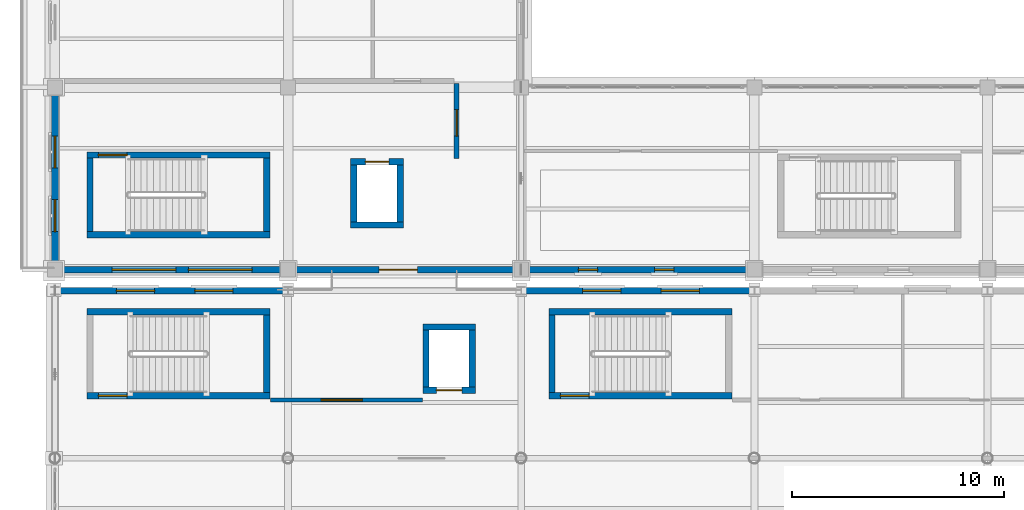
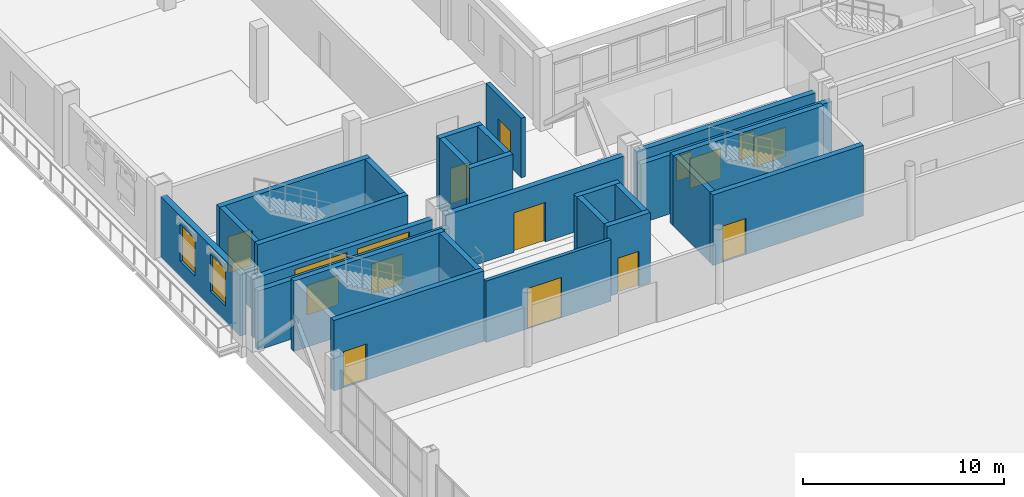
# One storey, part 121 of 156: 26 walls, 10 windows, 8 doors, 18 openings.
"""IFC4 building model written with IfcOpenShell, lengths in metres."""

from ifc_helpers import new_model, si_unit, direction, frame, frame_2d, origin, place, context, subcontext, project, spatial, rectangle, extrude, material, layer, layer_set, type_object, element, fill, save


model = new_model("IFC4")

# Units and contexts
model_context = context("Model", 3, precision=1e-05, world=origin(), true_north=direction((0.0, 1.0)))
body_context = subcontext(model_context, "Body", "Model", "MODEL_VIEW")
ifc_project = project(units=[si_unit("LENGTHUNIT", "METRE"), si_unit("AREAUNIT", "SQUARE_METRE"), si_unit("VOLUMEUNIT", "CUBIC_METRE"), si_unit("PLANEANGLEUNIT", "RADIAN"), si_unit("MASSUNIT", "GRAM", prefix="KILO")], contexts=[model_context])

# Site, building, storey
site_placement = place(None, origin())
site = spatial("IfcSite", under=ifc_project, at=site_placement, CompositionType="ELEMENT")
building_placement = place(site_placement, origin())
building = spatial("IfcBuilding", under=site, at=building_placement, Name="Caurita Quay Ferry Terminal", CompositionType="ELEMENT")
storey_placement = place(building_placement, frame((0.0, 0.0, 5.39990234375)))
storey = spatial("IfcBuildingStorey", under=building, at=storey_placement, Name="L01", CompositionType="ELEMENT", Elevation=5.39990234375)

# Wall, opening, door
ifc_material_1 = material(Name="Warm-white lime stucco masonry", Category="masonry")
ifc_layer_1 = layer(ifc_material_1, 0.239990234375, Name="Interior partitioning wall 240 mm")
ifc_layer_set_1 = layer_set([ifc_layer_1], Name="Warm-white lime stucco masonry")
wall_type_1 = type_object("IfcWallType", Name="WL-COMP-240", PredefinedType="PARTITIONING", material=ifc_layer_set_1)
wall_1_placement = place(storey_placement, frame((18.949951171875, 76.85009765625, 0.0), z_axis=(0.0, 0.0, 1.0), x_axis=(0.0, 1.0, 0.0)))
wall_1 = element("IfcWall", 1, at=wall_1_placement, inside=storey, type_object=wall_type_1, Name="L01 Interior Partition IW-L01-064", PredefinedType="PARTITIONING", context=body_context, shape_type="SweptSolid", body=[
    extrude(rectangle(XDim=3.52490234375, YDim=0.239990234375, at=frame_2d((1.762451171875, 0.0))), origin(), (0.0, 0.0, 1.0), 3.625),
])
opening_1_placement = place(wall_1_placement, frame((1.050048828125, 0.0, 0.0)))
opening_1 = element("IfcOpeningElement", 2, at=opening_1_placement, cuts=wall_1, Name="Opening FD-01", PredefinedType="OPENING", context=body_context, shape_type="SweptSolid", body=[
    extrude(rectangle(XDim=1.25, YDim=2.199951171875, at=frame_2d((0.625, 1.10009765625))), frame((0.0, 0.1298828125, 0.0), z_axis=(0.0, -1.0, 0.0), x_axis=(1.0, 0.0, 0.0)), (0.0, 0.0, 1.0), 0.260009765625),
])
ifc_material_2 = material(Name="Anodized aluminium 6063-T6", Category="aluminium")
door_type_1 = type_object("IfcDoorType", Name="DR-FF-1100", OperationType="NOTDEFINED", PredefinedType="DOOR", material=ifc_material_2)
door_1_placement = place(opening_1_placement, origin())
door_1 = element("IfcDoor", 3, at=door_1_placement, inside=storey, type_object=door_type_1, Name="Firefighting Lobby L01 South East Door", OperationType="SINGLE_SWING_LEFT", OverallHeight=2.199951171875, OverallWidth=1.25, PredefinedType="DOOR", context=body_context, shape_type="SweptSolid", body=[
    extrude(rectangle(XDim=1.25, YDim=2.199951171875, at=frame_2d((0.625, 1.10009765625))), frame((0.0, 0.02490234375, 0.0), z_axis=(0.0, -1.0, 0.0), x_axis=(1.0, 0.0, 0.0)), (0.0, 0.0, 1.0), 0.050048828125),
])
fill(opening_1, door_1)

# Wall
ifc_material_3 = material(Name="Reinforced concrete C35/45", Category="concrete")
ifc_layer_2 = layer(ifc_material_3, 0.300048828125, Name="Interior shear wall 300 mm")
ifc_layer_set_2 = layer_set([ifc_layer_2], Name="Reinforced concrete C35/45")
wall_type_2 = type_object("IfcWallType", Name="WL-CORE-300", PredefinedType="SHEAR", material=ifc_layer_set_2)
wall_2_placement = place(storey_placement, frame((1.5, 73.25, 0.0), z_axis=(0.0, 0.0, 1.0), x_axis=(1.0, 0.0, 0.0)))
element("IfcWall", 4, at=wall_2_placement, inside=storey, type_object=wall_type_2, Name="L01 ST-02 Core Wall South", PredefinedType="SHEAR", context=body_context, shape_type="SweptSolid", body=[
    extrude(rectangle(XDim=8.64990234375, YDim=0.300048828125, at=frame_2d((4.324951171875, 0.0))), origin(), (0.0, 0.0, 1.0), 4.280029296875),
])

# Wall, opening, door
wall_3_placement = place(storey_placement, frame((10.14990234375, 77.010009765625, 0.0), z_axis=(0.0, 0.0, 1.0), x_axis=(-1.0, 0.0, 0.0)))
wall_3 = element("IfcWall", 5, at=wall_3_placement, inside=storey, type_object=wall_type_2, Name="L01 ST-02 Core Wall North", PredefinedType="SHEAR", context=body_context, shape_type="SweptSolid", body=[
    extrude(rectangle(XDim=8.64990234375, YDim=0.300048828125, at=frame_2d((4.324951171875, 0.0))), origin(), (0.0, 0.0, 1.0), 4.280029296875),
])
opening_2_placement = place(wall_3_placement, frame((6.75, 0.0, 0.0)))
opening_2 = element("IfcOpeningElement", 6, at=opening_2_placement, cuts=wall_3, Name="Opening SD-01", PredefinedType="OPENING", context=body_context, shape_type="SweptSolid", body=[
    extrude(rectangle(XDim=1.35009765625, YDim=2.199951171875, at=frame_2d((0.675048828125, 1.10009765625))), frame((0.0, 0.159912109375, 0.0), z_axis=(0.0, -1.0, 0.0), x_axis=(1.0, 0.0, 0.0)), (0.0, 0.0, 1.0), 0.320068359375),
])
door_type_2 = type_object("IfcDoorType", Name="DR-ST-1200", OperationType="NOTDEFINED", PredefinedType="DOOR", material=ifc_material_2)
door_2_placement = place(opening_2_placement, origin())
door_2 = element("IfcDoor", 7, at=door_2_placement, inside=storey, type_object=door_type_2, Name="L01 Exit Stair ST-02 Fire Door", OperationType="SINGLE_SWING_LEFT", OverallHeight=2.199951171875, OverallWidth=1.35009765625, PredefinedType="DOOR", context=body_context, shape_type="SweptSolid", body=[
    extrude(rectangle(XDim=1.35009765625, YDim=2.199951171875, at=frame_2d((0.675048828125, 1.10009765625))), frame((0.0, 0.02490234375, 0.0), z_axis=(0.0, -1.0, 0.0), x_axis=(1.0, 0.0, 0.0)), (0.0, 0.0, 1.0), 0.050048828125),
])
fill(opening_2, door_2)

# Walls
for number, where, z_axis, x_axis, name in (
    (8, (1.64990234375, 76.860107421875, 0.0), (0.0, 0.0, 1.0), (0.0, -1.0, 0.0), "L01 ST-02 Core Wall West"),
    (9, (10.0, 73.39990234375, 0.0), (0.0, 0.0, 1.0), (0.0, 1.0, 0.0), "L01 ST-02 Core Wall East"),
):
    element("IfcWall", number, at=place(storey_placement, frame(where, z_axis=z_axis, x_axis=x_axis)), inside=storey, type_object=wall_type_2, Name=name, PredefinedType="SHEAR", context=body_context, shape_type="SweptSolid", body=[
        extrude(rectangle(XDim=3.460205078125, YDim=0.300048828125, at=frame_2d((1.72998046875, 0.0))), origin(), (0.0, 0.0, 1.0), 4.280029296875),
    ])

# Wall, opening, door
wall_4_placement = place(storey_placement, frame((1.5, 65.64990234375, 0.0), z_axis=(0.0, 0.0, 1.0), x_axis=(1.0, 0.0, 0.0)))
wall_4 = element("IfcWall", 10, at=wall_4_placement, inside=storey, type_object=wall_type_2, Name="L01 ST-05 Core Wall South", PredefinedType="SHEAR", context=body_context, shape_type="SweptSolid", body=[
    extrude(rectangle(XDim=8.64990234375, YDim=0.300048828125, at=frame_2d((4.324951171875, 0.0))), origin(), (0.0, 0.0, 1.0), 4.280029296875),
])
opening_3_placement = place(wall_4_placement, frame((0.550048828125, 0.0, 0.0)))
opening_3 = element("IfcOpeningElement", 11, at=opening_3_placement, cuts=wall_4, Name="Opening SD-01", PredefinedType="OPENING", context=body_context, shape_type="SweptSolid", body=[
    extrude(rectangle(XDim=1.35009765625, YDim=2.199951171875, at=frame_2d((0.675048828125, 1.10009765625))), frame((0.0, 0.159912109375, 0.0), z_axis=(0.0, -1.0, 0.0), x_axis=(1.0, 0.0, 0.0)), (0.0, 0.0, 1.0), 0.320068359375),
])
door_3_placement = place(opening_3_placement, origin())
door_3 = element("IfcDoor", 12, at=door_3_placement, inside=storey, type_object=door_type_2, Name="L01 Exit Stair ST-05 Fire Door", OperationType="SINGLE_SWING_LEFT", OverallHeight=2.199951171875, OverallWidth=1.35009765625, PredefinedType="DOOR", context=body_context, shape_type="SweptSolid", body=[
    extrude(rectangle(XDim=1.35009765625, YDim=2.199951171875, at=frame_2d((0.675048828125, 1.10009765625))), frame((0.0, 0.02490234375, 0.0), z_axis=(0.0, -1.0, 0.0), x_axis=(1.0, 0.0, 0.0)), (0.0, 0.0, 1.0), 0.050048828125),
])
fill(opening_3, door_3)

# Walls
wall_5_placement = place(storey_placement, frame((10.14990234375, 69.610107421875, 0.0), z_axis=(0.0, 0.0, 1.0), x_axis=(-1.0, 0.0, 0.0)))
element("IfcWall", 13, at=wall_5_placement, inside=storey, type_object=wall_type_2, Name="L01 ST-05 Core Wall North", PredefinedType="SHEAR", context=body_context, shape_type="SweptSolid", body=[
    extrude(rectangle(XDim=8.64990234375, YDim=0.300048828125, at=frame_2d((4.324951171875, 0.0))), origin(), (0.0, 0.0, 1.0), 4.280029296875),
])
wall_6_placement = place(storey_placement, frame((10.0, 65.800048828125, 0.0), z_axis=(0.0, 0.0, 1.0), x_axis=(0.0, 1.0, 0.0)))
element("IfcWall", 14, at=wall_6_placement, inside=storey, type_object=wall_type_2, Name="L01 ST-05 Core Wall East", PredefinedType="SHEAR", context=body_context, shape_type="SweptSolid", body=[
    extrude(rectangle(XDim=3.659912109375, YDim=0.300048828125, at=frame_2d((1.830078125, 0.0))), origin(), (0.0, 0.0, 1.0), 4.280029296875),
])

# Wall, opening, door
wall_7_placement = place(storey_placement, frame((23.300048828125, 65.64990234375, 0.0), z_axis=(0.0, 0.0, 1.0), x_axis=(1.0, 0.0, 0.0)))
wall_7 = element("IfcWall", 15, at=wall_7_placement, inside=storey, type_object=wall_type_2, Name="L01 ST-06 Core Wall South", PredefinedType="SHEAR", context=body_context, shape_type="SweptSolid", body=[
    extrude(rectangle(XDim=8.64990234375, YDim=0.300048828125, at=frame_2d((4.324951171875, 0.0))), origin(), (0.0, 0.0, 1.0), 4.280029296875),
])
opening_4_placement = place(wall_7_placement, frame((0.550048828125, 0.0, 0.0)))
opening_4 = element("IfcOpeningElement", 16, at=opening_4_placement, cuts=wall_7, Name="Opening SD-01", PredefinedType="OPENING", context=body_context, shape_type="SweptSolid", body=[
    extrude(rectangle(XDim=1.35009765625, YDim=2.199951171875, at=frame_2d((0.675048828125, 1.10009765625))), frame((0.0, 0.159912109375, 0.0), z_axis=(0.0, -1.0, 0.0), x_axis=(1.0, 0.0, 0.0)), (0.0, 0.0, 1.0), 0.320068359375),
])
door_4_placement = place(opening_4_placement, origin())
door_4 = element("IfcDoor", 17, at=door_4_placement, inside=storey, type_object=door_type_2, Name="L01 Exit Stair ST-06 Fire Door", OperationType="SINGLE_SWING_LEFT", OverallHeight=2.199951171875, OverallWidth=1.35009765625, PredefinedType="DOOR", context=body_context, shape_type="SweptSolid", body=[
    extrude(rectangle(XDim=1.35009765625, YDim=2.199951171875, at=frame_2d((0.675048828125, 1.10009765625))), frame((0.0, 0.02490234375, 0.0), z_axis=(0.0, -1.0, 0.0), x_axis=(1.0, 0.0, 0.0)), (0.0, 0.0, 1.0), 0.050048828125),
])
fill(opening_4, door_4)

# Walls
wall_8_placement = place(storey_placement, frame((31.949951171875, 69.610107421875, 0.0), z_axis=(0.0, 0.0, 1.0), x_axis=(-1.0, 0.0, 0.0)))
element("IfcWall", 18, at=wall_8_placement, inside=storey, type_object=wall_type_2, Name="L01 ST-06 Core Wall North", PredefinedType="SHEAR", context=body_context, shape_type="SweptSolid", body=[
    extrude(rectangle(XDim=8.64990234375, YDim=0.300048828125, at=frame_2d((4.324951171875, 0.0))), origin(), (0.0, 0.0, 1.0), 4.280029296875),
])
wall_9_placement = place(storey_placement, frame((23.449951171875, 69.4599609375, 0.0), z_axis=(0.0, 0.0, 1.0), x_axis=(0.0, -1.0, 0.0)))
element("IfcWall", 19, at=wall_9_placement, inside=storey, type_object=wall_type_2, Name="L01 ST-06 Core Wall West", PredefinedType="SHEAR", context=body_context, shape_type="SweptSolid", body=[
    extrude(rectangle(XDim=3.659912109375, YDim=0.300048828125, at=frame_2d((1.830078125, 0.0))), origin(), (0.0, 0.0, 1.0), 4.280029296875),
])
wall_10_placement = place(storey_placement, frame((13.955078125, 73.705078125, 0.0), z_axis=(0.0, 0.0, 1.0), x_axis=(1.0, 0.0, 0.0)))
element("IfcWall", 20, at=wall_10_placement, inside=storey, type_object=wall_type_2, Name="L01 Lift LF-02 Shaft Wall South", PredefinedType="SHEAR", context=body_context, shape_type="SweptSolid", body=[
    extrude(rectangle(XDim=2.489990234375, YDim=0.300048828125, at=frame_2d((1.2451171875, 0.0))), origin(), (0.0, 0.0, 1.0), 4.280029296875),
])

# Wall, opening, door
wall_11_placement = place(storey_placement, frame((16.445068359375, 76.695068359375, 0.0), z_axis=(0.0, 0.0, 1.0), x_axis=(-1.0, 0.0, 0.0)))
wall_11 = element("IfcWall", 21, at=wall_11_placement, inside=storey, type_object=wall_type_2, Name="L01 Lift LF-02 Shaft Wall North", PredefinedType="SHEAR", context=body_context, shape_type="SweptSolid", body=[
    extrude(rectangle(XDim=2.489990234375, YDim=0.300048828125, at=frame_2d((1.2451171875, 0.0))), origin(), (0.0, 0.0, 1.0), 4.280029296875),
])
opening_5_placement = place(wall_11_placement, frame((0.695068359375, 0.0, 0.0)))
opening_5 = element("IfcOpeningElement", 22, at=opening_5_placement, cuts=wall_11, Name="Opening LD-01", PredefinedType="OPENING", context=body_context, shape_type="SweptSolid", body=[
    extrude(rectangle(XDim=1.10009765625, YDim=2.14990234375, at=frame_2d((0.550048828125, 1.074951171875))), frame((0.0, 0.159912109375, 0.0), z_axis=(0.0, -1.0, 0.0), x_axis=(1.0, 0.0, 0.0)), (0.0, 0.0, 1.0), 0.320068359375),
])
ifc_material_4 = material(Name="Bronze architectural metalwork", Category="metal")
door_type_3 = type_object("IfcDoorType", Name="DR-LD-01", OperationType="DOUBLE_DOOR_SLIDING", PredefinedType="DOOR", material=ifc_material_4)
door_5_placement = place(opening_5_placement, frame((1.10009765625, 0.0, 0.0), z_axis=(0.0, 0.0, 1.0), x_axis=(-1.0, 0.0, 0.0)))
door_5 = element("IfcDoor", 23, at=door_5_placement, inside=storey, type_object=door_type_3, Name="L01 Lift LF-02 Sliding Landing Door", OperationType="DOUBLE_DOOR_SLIDING", OverallHeight=2.14990234375, OverallWidth=1.10009765625, PredefinedType="DOOR", context=body_context, shape_type="SweptSolid", body=[
    extrude(rectangle(XDim=1.10009765625, YDim=2.14990234375, at=frame_2d((0.550048828125, 1.074951171875))), frame((0.0, 0.02490234375, 0.0), z_axis=(0.0, -1.0, 0.0), x_axis=(1.0, 0.0, 0.0)), (0.0, 0.0, 1.0), 0.050048828125),
])
fill(opening_5, door_5)

# Walls
for number, where, z_axis, x_axis, name in (
    (24, (14.10498046875, 76.544921875, 0.0), (0.0, 0.0, 1.0), (0.0, -1.0, 0.0), "L01 Lift LF-02 Shaft Wall West"),
    (25, (16.294921875, 73.85498046875, 0.0), (0.0, 0.0, 1.0), (0.0, 1.0, 0.0), "L01 Lift LF-02 Shaft Wall East"),
):
    element("IfcWall", number, at=place(storey_placement, frame(where, z_axis=z_axis, x_axis=x_axis)), inside=storey, type_object=wall_type_2, Name=name, PredefinedType="SHEAR", context=body_context, shape_type="SweptSolid", body=[
        extrude(rectangle(XDim=2.68994140625, YDim=0.300048828125, at=frame_2d((1.344970703125, 0.0))), origin(), (0.0, 0.0, 1.0), 4.280029296875),
    ])

# Wall, opening, door
wall_12_placement = place(storey_placement, frame((17.35498046875, 65.905029296875, 0.0), z_axis=(0.0, 0.0, 1.0), x_axis=(1.0, 0.0, 0.0)))
wall_12 = element("IfcWall", 26, at=wall_12_placement, inside=storey, type_object=wall_type_2, Name="L01 Lift LP-01 Shaft Wall South", PredefinedType="SHEAR", context=body_context, shape_type="SweptSolid", body=[
    extrude(rectangle(XDim=2.489990234375, YDim=0.300048828125, at=frame_2d((1.2451171875, 0.0))), origin(), (0.0, 0.0, 1.0), 4.280029296875),
])
opening_6_placement = place(wall_12_placement, frame((0.64501953125, 0.0, 0.0)))
opening_6 = element("IfcOpeningElement", 27, at=opening_6_placement, cuts=wall_12, Name="Opening LD-02", PredefinedType="OPENING", context=body_context, shape_type="SweptSolid", body=[
    extrude(rectangle(XDim=1.199951171875, YDim=2.14990234375, at=frame_2d((0.60009765625, 1.074951171875))), frame((0.0, 0.159912109375, 0.0), z_axis=(0.0, -1.0, 0.0), x_axis=(1.0, 0.0, 0.0)), (0.0, 0.0, 1.0), 0.320068359375),
])
door_type_4 = type_object("IfcDoorType", Name="DR-LD-02", OperationType="DOUBLE_DOOR_SLIDING", PredefinedType="DOOR", material=ifc_material_4)
door_6_placement = place(opening_6_placement, frame((1.199951171875, 0.0, 0.0), z_axis=(0.0, 0.0, 1.0), x_axis=(-1.0, 0.0, 0.0)))
door_6 = element("IfcDoor", 28, at=door_6_placement, inside=storey, type_object=door_type_4, Name="L01 Lift LP-01 Sliding Landing Door", OperationType="DOUBLE_DOOR_SLIDING", OverallHeight=2.14990234375, OverallWidth=1.199951171875, PredefinedType="DOOR", context=body_context, shape_type="SweptSolid", body=[
    extrude(rectangle(XDim=1.199951171875, YDim=2.14990234375, at=frame_2d((0.60009765625, 1.074951171875))), frame((0.0, 0.02490234375, 0.0), z_axis=(0.0, -1.0, 0.0), x_axis=(1.0, 0.0, 0.0)), (0.0, 0.0, 1.0), 0.050048828125),
])
fill(opening_6, door_6)

# Walls
wall_13_placement = place(storey_placement, frame((19.844970703125, 68.89501953125, 0.0), z_axis=(0.0, 0.0, 1.0), x_axis=(-1.0, 0.0, 0.0)))
element("IfcWall", 29, at=wall_13_placement, inside=storey, type_object=wall_type_2, Name="L01 Lift LP-01 Shaft Wall North", PredefinedType="SHEAR", context=body_context, shape_type="SweptSolid", body=[
    extrude(rectangle(XDim=2.489990234375, YDim=0.300048828125, at=frame_2d((1.2451171875, 0.0))), origin(), (0.0, 0.0, 1.0), 4.280029296875),
])
for number, where, z_axis, x_axis, name in (
    (30, (17.5048828125, 68.7451171875, 0.0), (0.0, 0.0, 1.0), (0.0, -1.0, 0.0), "L01 Lift LP-01 Shaft Wall West"),
    (31, (19.695068359375, 66.054931640625, 0.0), (0.0, 0.0, 1.0), (0.0, 1.0, 0.0), "L01 Lift LP-01 Shaft Wall East"),
):
    element("IfcWall", number, at=place(storey_placement, frame(where, z_axis=z_axis, x_axis=x_axis)), inside=storey, type_object=wall_type_2, Name=name, PredefinedType="SHEAR", context=body_context, shape_type="SweptSolid", body=[
        extrude(rectangle(XDim=2.690185546875, YDim=0.300048828125, at=frame_2d((1.34521484375, 0.0))), origin(), (0.0, 0.0, 1.0), 4.280029296875),
    ])

# Wall, opening, door
ifc_layer_3 = layer(ifc_material_1, 0.199951171875, Name="Interior partitioning wall 200 mm")
ifc_layer_set_3 = layer_set([ifc_layer_3], Name="Warm-white lime stucco masonry")
wall_type_3 = type_object("IfcWallType", Name="WL-CORR-200", PredefinedType="PARTITIONING", material=ifc_layer_set_3)
wall_14_placement = place(storey_placement, frame((10.159912109375, 65.449951171875, 0.0), z_axis=(0.0, 0.0, 1.0), x_axis=(1.0, 0.0, 0.0)))
wall_14 = element("IfcWall", 32, at=wall_14_placement, inside=storey, type_object=wall_type_3, Name="L01 Interior Partition IW-L01-040", PredefinedType="PARTITIONING", context=body_context, shape_type="SweptSolid", body=[
    extrude(rectangle(XDim=7.190185546875, YDim=0.199951171875, at=frame_2d((3.59521484375, 0.0))), origin(), (0.0, 0.0, 1.0), 3.739013671875),
])
opening_7_placement = place(wall_14_placement, frame((2.39990234375, 0.0, 0.0)))
opening_7 = element("IfcOpeningElement", 33, at=opening_7_placement, cuts=wall_14, Name="Opening ID-02", PredefinedType="OPENING", context=body_context, shape_type="SweptSolid", body=[
    extrude(rectangle(XDim=1.949951171875, YDim=2.449951171875, at=frame_2d((0.97509765625, 1.22509765625))), frame((0.0, 0.10986328125, 0.0), z_axis=(0.0, -1.0, 0.0), x_axis=(1.0, 0.0, 0.0)), (0.0, 0.0, 1.0), 0.219970703125),
])
door_type_5 = type_object("IfcDoorType", Name="DR-HALL-1950", OperationType="NOTDEFINED", PredefinedType="DOOR", material=ifc_material_2)
door_7_placement = place(opening_7_placement, origin())
door_7 = element("IfcDoor", 34, at=door_7_placement, inside=storey, type_object=door_type_5, Name="Departure Lift Lobby L01 West Door", OperationType="SINGLE_SWING_LEFT", OverallHeight=2.449951171875, OverallWidth=1.949951171875, PredefinedType="DOOR", context=body_context, shape_type="SweptSolid", body=[
    extrude(rectangle(XDim=1.949951171875, YDim=2.449951171875, at=frame_2d((0.97509765625, 1.22509765625))), frame((0.0, 0.02490234375, 0.0), z_axis=(0.0, -1.0, 0.0), x_axis=(1.0, 0.0, 0.0)), (0.0, 0.0, 1.0), 0.050048828125),
])
fill(opening_7, door_7)

# Wall, openings, windows
ifc_layer_4 = layer(ifc_material_1, 0.31005859375, Name="Exterior solidwall wall 310 mm")
ifc_layer_set_4 = layer_set([ifc_layer_4], Name="Warm-white lime stucco masonry")
wall_type_4 = type_object("IfcWallType", Name="WL-EXT-310", PredefinedType="SOLIDWALL", material=ifc_layer_set_4)
wall_15_placement = place(storey_placement, frame((0.347900390625, 71.60009765625, 0.0), z_axis=(0.0, 0.0, 1.0), x_axis=(1.0, 0.0, 0.0)))
wall_15 = element("IfcWall", 35, at=wall_15_placement, inside=storey, type_object=wall_type_4, Name="L01 Exterior Wall EW-L01-061", PredefinedType="SOLIDWALL", context=body_context, shape_type="SweptSolid", body=[
    extrude(rectangle(XDim=10.30419921875, YDim=0.31005859375, at=frame_2d((5.152099609375, 0.0))), origin(), (0.0, 0.0, 1.0), 3.625),
])
opening_8_placement = place(wall_15_placement, frame((2.35205078125, 0.0, 0.949951171875)))
opening_8 = element("IfcOpeningElement", 36, at=opening_8_placement, cuts=wall_15, Name="Opening W-16", PredefinedType="OPENING", context=body_context, shape_type="SweptSolid", body=[
    extrude(rectangle(XDim=3.0, YDim=2.39990234375, at=frame_2d((1.5, 1.199951171875))), frame((0.0, 0.1650390625, 0.0), z_axis=(0.0, -1.0, 0.0), x_axis=(1.0, 0.0, 0.0)), (0.0, 0.0, 1.0), 0.330078125),
])
opening_9_placement = place(wall_15_placement, frame((5.951904296875, 0.0, 0.949951171875)))
opening_9 = element("IfcOpeningElement", 37, at=opening_9_placement, cuts=wall_15, Name="Opening W-16", PredefinedType="OPENING", context=body_context, shape_type="SweptSolid", body=[
    extrude(rectangle(XDim=3.0, YDim=2.39990234375, at=frame_2d((1.5, 1.199951171875))), frame((0.0, 0.1650390625, 0.0), z_axis=(0.0, -1.0, 0.0), x_axis=(1.0, 0.0, 0.0)), (0.0, 0.0, 1.0), 0.330078125),
])
ifc_material_5 = material(Name="Laminated solar-control insulated glass", Category="glass")
window_type_1 = type_object("IfcWindowType", Name="WIN-SC-3024", PartitioningType="SINGLE_PANEL", PredefinedType="WINDOW", material=ifc_material_5)
window_1_placement = place(opening_8_placement, origin())
window_1 = element("IfcWindow", 38, at=window_1_placement, inside=storey, type_object=window_type_1, Name="L01 Casement Window WN-L01-091", OverallHeight=2.39990234375, OverallWidth=3.0, PartitioningType="SINGLE_PANEL", PredefinedType="WINDOW", context=body_context, shape_type="SweptSolid", body=[
    extrude(rectangle(XDim=3.0, YDim=2.39990234375, at=frame_2d((1.5, 1.199951171875))), frame((0.0, 0.030029296875, 0.0), z_axis=(0.0, -1.0, 0.0), x_axis=(1.0, 0.0, 0.0)), (0.0, 0.0, 1.0), 0.06005859375),
])
fill(opening_8, window_1)
window_2_placement = place(opening_9_placement, origin())
window_2 = element("IfcWindow", 39, at=window_2_placement, inside=storey, type_object=window_type_1, Name="L01 Casement Window WN-L01-092", OverallHeight=2.39990234375, OverallWidth=3.0, PartitioningType="SINGLE_PANEL", PredefinedType="WINDOW", context=body_context, shape_type="SweptSolid", body=[
    extrude(rectangle(XDim=3.0, YDim=2.39990234375, at=frame_2d((1.5, 1.199951171875))), frame((0.0, 0.030029296875, 0.0), z_axis=(0.0, -1.0, 0.0), x_axis=(1.0, 0.0, 0.0)), (0.0, 0.0, 1.0), 0.06005859375),
])
fill(opening_9, window_2)

# Wall, opening, door
wall_16_placement = place(storey_placement, frame((11.347900390625, 71.60009765625, 0.0), z_axis=(0.0, 0.0, 1.0), x_axis=(1.0, 0.0, 0.0)))
wall_16 = element("IfcWall", 40, at=wall_16_placement, inside=storey, type_object=wall_type_4, Name="L01 Exterior Wall EW-L01-062", PredefinedType="SOLIDWALL", context=body_context, shape_type="SweptSolid", body=[
    extrude(rectangle(XDim=10.30419921875, YDim=0.31005859375, at=frame_2d((5.152099609375, 0.0))), origin(), (0.0, 0.0, 1.0), 3.625),
])
opening_10_placement = place(wall_16_placement, frame((3.951904296875, 0.0, 0.0)))
opening_10 = element("IfcOpeningElement", 41, at=opening_10_placement, cuts=wall_16, Name="Opening ED-03", PredefinedType="OPENING", context=body_context, shape_type="SweptSolid", body=[
    extrude(rectangle(XDim=1.800048828125, YDim=2.39990234375, at=frame_2d((0.89990234375, 1.199951171875))), frame((0.0, 0.1650390625, 0.0), z_axis=(0.0, -1.0, 0.0), x_axis=(1.0, 0.0, 0.0)), (0.0, 0.0, 1.0), 0.330078125),
])
door_type_6 = type_object("IfcDoorType", Name="DR-EXT-1824", OperationType="NOTDEFINED", PredefinedType="DOOR", material=ifc_material_2)
door_8_placement = place(opening_10_placement, frame((1.800048828125, 0.0, 0.0), z_axis=(0.0, 0.0, 1.0), x_axis=(-1.0, 0.0, 0.0)))
door_8 = element("IfcDoor", 42, at=door_8_placement, inside=storey, type_object=door_type_6, Name="L01 Seismic Link Door SJ4-W", OperationType="SINGLE_SWING_RIGHT", OverallHeight=2.39990234375, OverallWidth=1.800048828125, PredefinedType="DOOR", context=body_context, shape_type="SweptSolid", body=[
    extrude(rectangle(XDim=1.800048828125, YDim=2.39990234375, at=frame_2d((0.89990234375, 1.199951171875))), frame((0.0, 0.02490234375, 0.0), z_axis=(0.0, -1.0, 0.0), x_axis=(1.0, 0.0, 0.0)), (0.0, 0.0, 1.0), 0.050048828125),
])
fill(opening_10, door_8)

# Wall, openings, windows
wall_17_placement = place(storey_placement, frame((22.347900390625, 71.60009765625, 0.0), z_axis=(0.0, 0.0, 1.0), x_axis=(1.0, 0.0, 0.0)))
wall_17 = element("IfcWall", 43, at=wall_17_placement, inside=storey, type_object=wall_type_4, Name="L01 Exterior Wall EW-L01-063", PredefinedType="SOLIDWALL", context=body_context, shape_type="SweptSolid", body=[
    extrude(rectangle(XDim=10.30419921875, YDim=0.31005859375, at=frame_2d((5.152099609375, 0.0))), origin(), (0.0, 0.0, 1.0), 3.625),
])
opening_11_placement = place(wall_17_placement, frame((2.35205078125, 0.0, 0.949951171875)))
opening_11 = element("IfcOpeningElement", 44, at=opening_11_placement, cuts=wall_17, Name="Opening W-01", PredefinedType="OPENING", context=body_context, shape_type="SweptSolid", body=[
    extrude(rectangle(XDim=0.89990234375, YDim=1.5, at=frame_2d((0.449951171875, 0.75))), frame((0.0, 0.1650390625, 0.0), z_axis=(0.0, -1.0, 0.0), x_axis=(1.0, 0.0, 0.0)), (0.0, 0.0, 1.0), 0.330078125),
])
opening_12_placement = place(wall_17_placement, frame((5.951904296875, 0.0, 0.949951171875)))
opening_12 = element("IfcOpeningElement", 45, at=opening_12_placement, cuts=wall_17, Name="Opening W-01", PredefinedType="OPENING", context=body_context, shape_type="SweptSolid", body=[
    extrude(rectangle(XDim=0.89990234375, YDim=1.5, at=frame_2d((0.449951171875, 0.75))), frame((0.0, 0.1650390625, 0.0), z_axis=(0.0, -1.0, 0.0), x_axis=(1.0, 0.0, 0.0)), (0.0, 0.0, 1.0), 0.330078125),
])
window_type_2 = type_object("IfcWindowType", Name="WIN-SC-0915", PartitioningType="SINGLE_PANEL", PredefinedType="WINDOW", material=ifc_material_5)
window_3_placement = place(opening_11_placement, origin())
window_3 = element("IfcWindow", 46, at=window_3_placement, inside=storey, type_object=window_type_2, Name="L01 Casement Window WN-L01-093", OverallHeight=1.5, OverallWidth=0.89990234375, PartitioningType="SINGLE_PANEL", PredefinedType="WINDOW", context=body_context, shape_type="SweptSolid", body=[
    extrude(rectangle(XDim=0.89990234375, YDim=1.5, at=frame_2d((0.449951171875, 0.75))), frame((0.0, 0.030029296875, 0.0), z_axis=(0.0, -1.0, 0.0), x_axis=(1.0, 0.0, 0.0)), (0.0, 0.0, 1.0), 0.06005859375),
])
fill(opening_11, window_3)
window_4_placement = place(opening_12_placement, origin())
window_4 = element("IfcWindow", 47, at=window_4_placement, inside=storey, type_object=window_type_2, Name="L01 Casement Window WN-L01-094", OverallHeight=1.5, OverallWidth=0.89990234375, PartitioningType="SINGLE_PANEL", PredefinedType="WINDOW", context=body_context, shape_type="SweptSolid", body=[
    extrude(rectangle(XDim=0.89990234375, YDim=1.5, at=frame_2d((0.449951171875, 0.75))), frame((0.0, 0.030029296875, 0.0), z_axis=(0.0, -1.0, 0.0), x_axis=(1.0, 0.0, 0.0)), (0.0, 0.0, 1.0), 0.06005859375),
])
fill(opening_12, window_4)

wall_18_placement = place(storey_placement, frame((10.993408203125, 70.60009765625, 0.0), z_axis=(0.0, 0.0, 1.0), x_axis=(-1.0, 0.0, 0.0)))
wall_18 = element("IfcWall", 48, at=wall_18_placement, inside=storey, type_object=wall_type_4, Name="L01 Exterior Wall EW-L01-180", PredefinedType="SOLIDWALL", context=body_context, shape_type="SweptSolid", body=[
    extrude(rectangle(XDim=10.98681640625, YDim=0.31005859375, at=frame_2d((5.493408203125, 0.0))), origin(), (0.0, 0.0, 1.0), 3.592041015625),
])
opening_13_placement = place(wall_18_placement, frame((2.593505859375, 0.0, 1.050048828125)))
opening_13 = element("IfcOpeningElement", 49, at=opening_13_placement, cuts=wall_18, Name="Opening W-09", PredefinedType="OPENING", context=body_context, shape_type="SweptSolid", body=[
    extrude(rectangle(XDim=1.800048828125, YDim=1.800048828125, at=frame_2d((0.89990234375, 0.89990234375))), frame((0.0, 0.1650390625, 0.0), z_axis=(0.0, -1.0, 0.0), x_axis=(1.0, 0.0, 0.0)), (0.0, 0.0, 1.0), 0.330078125),
])
opening_14_placement = place(wall_18_placement, frame((6.29345703125, 0.0, 1.050048828125)))
opening_14 = element("IfcOpeningElement", 50, at=opening_14_placement, cuts=wall_18, Name="Opening W-09", PredefinedType="OPENING", context=body_context, shape_type="SweptSolid", body=[
    extrude(rectangle(XDim=1.800048828125, YDim=1.800048828125, at=frame_2d((0.89990234375, 0.89990234375))), frame((0.0, 0.1650390625, 0.0), z_axis=(0.0, -1.0, 0.0), x_axis=(1.0, 0.0, 0.0)), (0.0, 0.0, 1.0), 0.330078125),
])
window_type_3 = type_object("IfcWindowType", Name="WIN-SC-1818", PartitioningType="SINGLE_PANEL", PredefinedType="WINDOW", material=ifc_material_5)
window_5_placement = place(opening_13_placement, origin())
window_5 = element("IfcWindow", 51, at=window_5_placement, inside=storey, type_object=window_type_3, Name="L01 Casement Window WN-L01-269", OverallHeight=1.800048828125, OverallWidth=1.800048828125, PartitioningType="SINGLE_PANEL", PredefinedType="WINDOW", context=body_context, shape_type="SweptSolid", body=[
    extrude(rectangle(XDim=1.800048828125, YDim=1.800048828125, at=frame_2d((0.89990234375, 0.89990234375))), frame((0.0, 0.030029296875, 0.0), z_axis=(0.0, -1.0, 0.0), x_axis=(1.0, 0.0, 0.0)), (0.0, 0.0, 1.0), 0.06005859375),
])
fill(opening_13, window_5)
window_6_placement = place(opening_14_placement, origin())
window_6 = element("IfcWindow", 52, at=window_6_placement, inside=storey, type_object=window_type_3, Name="L01 Casement Window WN-L01-270", OverallHeight=1.800048828125, OverallWidth=1.800048828125, PartitioningType="SINGLE_PANEL", PredefinedType="WINDOW", context=body_context, shape_type="SweptSolid", body=[
    extrude(rectangle(XDim=1.800048828125, YDim=1.800048828125, at=frame_2d((0.89990234375, 0.89990234375))), frame((0.0, 0.030029296875, 0.0), z_axis=(0.0, -1.0, 0.0), x_axis=(1.0, 0.0, 0.0)), (0.0, 0.0, 1.0), 0.06005859375),
])
fill(opening_14, window_6)

wall_19_placement = place(storey_placement, frame((32.993408203125, 70.60009765625, 0.0), z_axis=(0.0, 0.0, 1.0), x_axis=(-1.0, 0.0, 0.0)))
wall_19 = element("IfcWall", 53, at=wall_19_placement, inside=storey, type_object=wall_type_4, Name="L01 Exterior Wall EW-L01-181", PredefinedType="SOLIDWALL", context=body_context, shape_type="SweptSolid", body=[
    extrude(rectangle(XDim=10.98681640625, YDim=0.31005859375, at=frame_2d((5.493408203125, 0.0))), origin(), (0.0, 0.0, 1.0), 3.592041015625),
])
opening_15_placement = place(wall_19_placement, frame((2.593505859375, 0.0, 1.050048828125)))
opening_15 = element("IfcOpeningElement", 54, at=opening_15_placement, cuts=wall_19, Name="Opening W-09", PredefinedType="OPENING", context=body_context, shape_type="SweptSolid", body=[
    extrude(rectangle(XDim=1.800048828125, YDim=1.800048828125, at=frame_2d((0.89990234375, 0.89990234375))), frame((0.0, 0.1650390625, 0.0), z_axis=(0.0, -1.0, 0.0), x_axis=(1.0, 0.0, 0.0)), (0.0, 0.0, 1.0), 0.330078125),
])
opening_16_placement = place(wall_19_placement, frame((6.29345703125, 0.0, 1.050048828125)))
opening_16 = element("IfcOpeningElement", 55, at=opening_16_placement, cuts=wall_19, Name="Opening W-09", PredefinedType="OPENING", context=body_context, shape_type="SweptSolid", body=[
    extrude(rectangle(XDim=1.800048828125, YDim=1.800048828125, at=frame_2d((0.89990234375, 0.89990234375))), frame((0.0, 0.1650390625, 0.0), z_axis=(0.0, -1.0, 0.0), x_axis=(1.0, 0.0, 0.0)), (0.0, 0.0, 1.0), 0.330078125),
])
window_7_placement = place(opening_15_placement, origin())
window_7 = element("IfcWindow", 56, at=window_7_placement, inside=storey, type_object=window_type_3, Name="L01 Casement Window WN-L01-271", OverallHeight=1.800048828125, OverallWidth=1.800048828125, PartitioningType="SINGLE_PANEL", PredefinedType="WINDOW", context=body_context, shape_type="SweptSolid", body=[
    extrude(rectangle(XDim=1.800048828125, YDim=1.800048828125, at=frame_2d((0.89990234375, 0.89990234375))), frame((0.0, 0.030029296875, 0.0), z_axis=(0.0, -1.0, 0.0), x_axis=(1.0, 0.0, 0.0)), (0.0, 0.0, 1.0), 0.06005859375),
])
fill(opening_15, window_7)
window_8_placement = place(opening_16_placement, origin())
window_8 = element("IfcWindow", 57, at=window_8_placement, inside=storey, type_object=window_type_3, Name="L01 Casement Window WN-L01-272", OverallHeight=1.800048828125, OverallWidth=1.800048828125, PartitioningType="SINGLE_PANEL", PredefinedType="WINDOW", context=body_context, shape_type="SweptSolid", body=[
    extrude(rectangle(XDim=1.800048828125, YDim=1.800048828125, at=frame_2d((0.89990234375, 0.89990234375))), frame((0.0, 0.030029296875, 0.0), z_axis=(0.0, -1.0, 0.0), x_axis=(1.0, 0.0, 0.0)), (0.0, 0.0, 1.0), 0.06005859375),
])
fill(opening_16, window_8)

ifc_layer_5 = layer(ifc_material_1, 0.340087890625, Name="Exterior solidwall wall 340 mm")
ifc_layer_set_5 = layer_set([ifc_layer_5], Name="Warm-white lime stucco masonry")
wall_type_5 = type_object("IfcWallType", Name="WL-EXT-340", PredefinedType="SOLIDWALL", material=ifc_layer_set_5)
wall_20_placement = place(storey_placement, frame((0.0, 79.85205078125, 0.0), z_axis=(0.0, 0.0, 1.0), x_axis=(0.0, -1.0, 0.0)))
wall_20 = element("IfcWall", 58, at=wall_20_placement, inside=storey, type_object=wall_type_5, Name="L01 Exterior Wall EW-L01-037", PredefinedType="SOLIDWALL", context=body_context, shape_type="SweptSolid", body=[
    extrude(rectangle(XDim=7.904052734375, YDim=0.340087890625, at=frame_2d((3.9521484375, 0.0))), origin(), (0.0, 0.0, 1.0), 3.72509765625),
])
opening_17_placement = place(wall_20_placement, frame((1.951904296875, 0.0, 0.949951171875)))
opening_17 = element("IfcOpeningElement", 59, at=opening_17_placement, cuts=wall_20, Name="Opening W-07", PredefinedType="OPENING", context=body_context, shape_type="SweptSolid", body=[
    extrude(rectangle(XDim=1.5, YDim=2.25, at=frame_2d((0.75, 1.125))), frame((0.0, 0.179931640625, 0.0), z_axis=(0.0, -1.0, 0.0), x_axis=(1.0, 0.0, 0.0)), (0.0, 0.0, 1.0), 0.360107421875),
])
opening_18_placement = place(wall_20_placement, frame((4.951904296875, 0.0, 0.949951171875)))
opening_18 = element("IfcOpeningElement", 60, at=opening_18_placement, cuts=wall_20, Name="Opening W-07", PredefinedType="OPENING", context=body_context, shape_type="SweptSolid", body=[
    extrude(rectangle(XDim=1.5, YDim=2.25, at=frame_2d((0.75, 1.125))), frame((0.0, 0.179931640625, 0.0), z_axis=(0.0, -1.0, 0.0), x_axis=(1.0, 0.0, 0.0)), (0.0, 0.0, 1.0), 0.360107421875),
])
window_type_4 = type_object("IfcWindowType", Name="WIN-SC-1522", PartitioningType="SINGLE_PANEL", PredefinedType="WINDOW", material=ifc_material_5)
window_9_placement = place(opening_17_placement, origin())
window_9 = element("IfcWindow", 61, at=window_9_placement, inside=storey, type_object=window_type_4, Name="L01 Casement Window WN-L01-053", OverallHeight=2.25, OverallWidth=1.5, PartitioningType="SINGLE_PANEL", PredefinedType="WINDOW", context=body_context, shape_type="SweptSolid", body=[
    extrude(rectangle(XDim=1.5, YDim=2.25, at=frame_2d((0.75, 1.125))), frame((0.0, 0.030029296875, 0.0), z_axis=(0.0, -1.0, 0.0), x_axis=(1.0, 0.0, 0.0)), (0.0, 0.0, 1.0), 0.06005859375),
])
fill(opening_17, window_9)
window_10_placement = place(opening_18_placement, origin())
window_10 = element("IfcWindow", 62, at=window_10_placement, inside=storey, type_object=window_type_4, Name="L01 Casement Window WN-L01-054", OverallHeight=2.25, OverallWidth=1.5, PartitioningType="SINGLE_PANEL", PredefinedType="WINDOW", context=body_context, shape_type="SweptSolid", body=[
    extrude(rectangle(XDim=1.5, YDim=2.25, at=frame_2d((0.75, 1.125))), frame((0.0, 0.030029296875, 0.0), z_axis=(0.0, -1.0, 0.0), x_axis=(1.0, 0.0, 0.0)), (0.0, 0.0, 1.0), 0.06005859375),
])
fill(opening_18, window_10)

save(model, "model.ifc")
